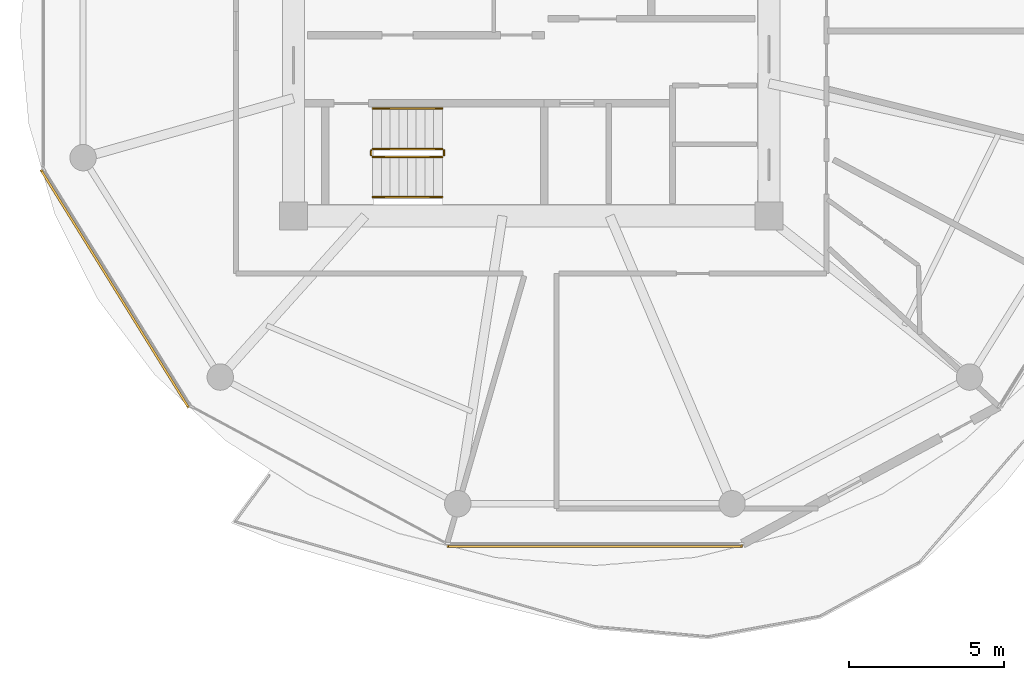
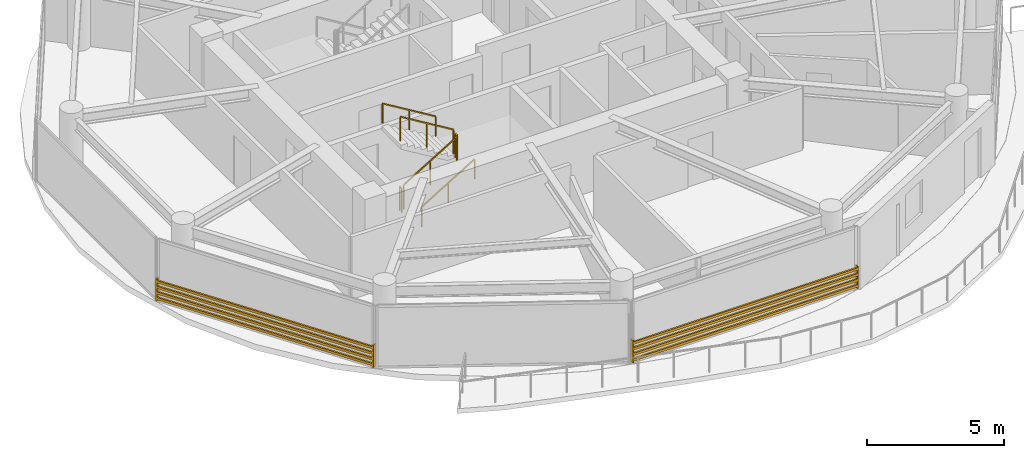
# One storey, part 19 of 24: 6 railings, 2 shading devices.
"""IFC4 building model written with IfcOpenShell, lengths in metres."""

from ifc_helpers import new_model, si_unit, direction, frame, origin, origin_2d, place, context, subcontext, project, spatial, rectangle, extrude, source, transform, mapped, material, type_object, type_shapes, element, save


model = new_model("IFC4")

# Units and contexts
model_context = context("Model", 3, precision=1e-05, world=origin(), true_north=direction((0.0, 1.0)))
body_context = subcontext(model_context, "Body", "Model", "MODEL_VIEW")
ifc_project = project(units=[si_unit("LENGTHUNIT", "METRE"), si_unit("AREAUNIT", "SQUARE_METRE"), si_unit("VOLUMEUNIT", "CUBIC_METRE"), si_unit("PLANEANGLEUNIT", "RADIAN"), si_unit("MASSUNIT", "GRAM", prefix="KILO")], contexts=[model_context])

# Site, building, storey
site_placement = place(None, origin())
site = spatial("IfcSite", under=ifc_project, at=site_placement, CompositionType="ELEMENT")
building_placement = place(site_placement, origin())
building = spatial("IfcBuilding", under=site, at=building_placement, Name="Norrkilde Senior Care Towers", CompositionType="ELEMENT")
storey_placement = place(building_placement, frame((0.0, 0.0, 111.5)))
storey = spatial("IfcBuildingStorey", under=building, at=storey_placement, Name="L34", CompositionType="ELEMENT", Elevation=111.5)

# Railings
ifc_material_1 = material(Name="Stainless Steel", Category="steel")
railing_type_1 = type_object("IfcRailingType", Name="Stair and Terrace Guardrail 1100", PredefinedType="GUARDRAIL", material=ifc_material_1)
railing_1_placement = place(storey_placement, frame((-33.10009765625, -4.050048828125, 0.16943359375)))
element("IfcRailing", 1, at=railing_1_placement, inside=storey, type_object=railing_type_1, Name="L34 ST-W2 stair guard 1", PredefinedType="GUARDRAIL", context=body_context, shape_type="SweptSolid", body=[
    extrude(rectangle(XDim=0.048095703125, YDim=0.048095703125, at=origin_2d()), frame((0.0, 0.0, 1.076171875), z_axis=(0.855553338991, 0.0, 0.51771467445), x_axis=(0.0, 1.0, 0.0)), (0.0, 0.0, 1.0), 2.6181640625),
    extrude(rectangle(XDim=0.0419921875, YDim=0.0419921875, at=origin_2d()), origin(), (0.0, 0.0, 1.0), 1.050048828125),
    extrude(rectangle(XDim=0.0419921875, YDim=0.0419921875, at=origin_2d()), frame((1.1201171875, 0.0, 0.677734375)), (0.0, 0.0, 1.0), 1.050048828125),
    extrude(rectangle(XDim=0.0419921875, YDim=0.0419921875, at=origin_2d()), frame((2.239990234375, 0.0, 1.35546875)), (0.0, 0.0, 1.0), 1.050048828125),
])
railing_2_placement = place(storey_placement, frame((-30.81005859375, -4.0, 1.52490234375)))
element("IfcRailing", 2, at=railing_2_placement, inside=storey, type_object=railing_type_1, Name="L34 ST-W2 stair guard 2", PredefinedType="GUARDRAIL", context=body_context, shape_type="SweptSolid", body=[
    extrude(rectangle(XDim=0.048095703125, YDim=0.048095703125, at=origin_2d()), frame((0.0, 0.0, 1.076171875), z_axis=(0.0, 1.0, 0.0), x_axis=(-1.0, 0.0, 0.0)), (0.0, 0.0, 1.0), 0.14990234375),
    extrude(rectangle(XDim=0.0419921875, YDim=0.0419921875, at=origin_2d()), origin(), (0.0, 0.0, 1.0), 1.050048828125),
    extrude(rectangle(XDim=0.0419921875, YDim=0.0419921875, at=origin_2d()), frame((0.0, 0.14990234375, 0.0)), (0.0, 0.0, 1.0), 1.050048828125),
])
railing_3_placement = place(storey_placement, frame((-30.860107421875, -3.800048828125, 1.6943359375)))
element("IfcRailing", 3, at=railing_3_placement, inside=storey, type_object=railing_type_1, Name="L34 ST-W2 stair guard 3", PredefinedType="GUARDRAIL", context=body_context, shape_type="SweptSolid", body=[
    extrude(rectangle(XDim=0.048095703125, YDim=0.048095703125, at=origin_2d()), frame((0.0, 0.0, 1.076171875), z_axis=(-0.855512035549, 0.0, 0.517782924622), x_axis=(0.0, -1.0, 0.0)), (0.0, 0.0, 1.0), 2.618408203125),
    extrude(rectangle(XDim=0.0419921875, YDim=0.0419921875, at=origin_2d()), origin(), (0.0, 0.0, 1.0), 1.050048828125),
    extrude(rectangle(XDim=0.0419921875, YDim=0.0419921875, at=origin_2d()), frame((-1.1201171875, 0.0, 0.677734375)), (0.0, 0.0, 1.0), 1.050048828125),
    extrude(rectangle(XDim=0.0419921875, YDim=0.0419921875, at=origin_2d()), frame((-2.239990234375, 0.0, 1.355712890625)), (0.0, 0.0, 1.0), 1.050048828125),
])
railing_4_placement = place(storey_placement, frame((-33.14990234375, -4.0, 0.0)))
element("IfcRailing", 4, at=railing_4_placement, inside=storey, type_object=railing_type_1, Name="L34 ST-W2 stair guard 4", PredefinedType="GUARDRAIL", context=body_context, shape_type="SweptSolid", body=[
    extrude(rectangle(XDim=0.048095703125, YDim=0.048095703125, at=origin_2d()), frame((0.0, 0.0, 1.076171875), z_axis=(0.0, 1.0, 0.0), x_axis=(-1.0, 0.0, 0.0)), (0.0, 0.0, 1.0), 0.14990234375),
    extrude(rectangle(XDim=0.0419921875, YDim=0.0419921875, at=origin_2d()), origin(), (0.0, 0.0, 1.0), 1.050048828125),
    extrude(rectangle(XDim=0.0419921875, YDim=0.0419921875, at=origin_2d()), frame((0.0, 0.14990234375, 0.0)), (0.0, 0.0, 1.0), 1.050048828125),
])
ifc_material_2 = material(Name="Nordic Ash Timber", Category="wood")
railing_type_2 = type_object("IfcRailingType", Name="Wall and Stair Handrail 900", PredefinedType="HANDRAIL", material=ifc_material_2)
railing_5_placement = place(storey_placement, frame((-33.10009765625, -5.35009765625, 0.16943359375)))
element("IfcRailing", 5, at=railing_5_placement, inside=storey, type_object=railing_type_2, Name="L34 ST-W2 stair handrail 1", PredefinedType="HANDRAIL", context=body_context, shape_type="SweptSolid", body=[
    extrude(rectangle(XDim=0.048095703125, YDim=0.048095703125, at=origin_2d()), frame((0.0, 0.0, 0.8759765625), z_axis=(0.855553338991, 0.0, 0.51771467445), x_axis=(0.0, 1.0, 0.0)), (0.0, 0.0, 1.0), 2.6181640625),
    extrude(rectangle(XDim=0.0419921875, YDim=0.0419921875, at=origin_2d()), origin(), (0.0, 0.0, 1.0), 0.849853515625),
    extrude(rectangle(XDim=0.0419921875, YDim=0.0419921875, at=origin_2d()), frame((1.1201171875, 0.0, 0.677734375)), (0.0, 0.0, 1.0), 0.849853515625),
    extrude(rectangle(XDim=0.0419921875, YDim=0.0419921875, at=origin_2d()), frame((2.239990234375, 0.0, 1.35546875)), (0.0, 0.0, 1.0), 0.849853515625),
])
railing_6_placement = place(storey_placement, frame((-30.860107421875, -2.5, 1.6943359375)))
element("IfcRailing", 6, at=railing_6_placement, inside=storey, type_object=railing_type_2, Name="L34 ST-W2 stair handrail 2", PredefinedType="HANDRAIL", context=body_context, shape_type="SweptSolid", body=[
    extrude(rectangle(XDim=0.048095703125, YDim=0.048095703125, at=origin_2d()), frame((0.0, 0.0, 0.8759765625), z_axis=(-0.855512035549, 0.0, 0.517782924622), x_axis=(0.0, -1.0, 0.0)), (0.0, 0.0, 1.0), 2.618408203125),
    extrude(rectangle(XDim=0.0419921875, YDim=0.0419921875, at=origin_2d()), origin(), (0.0, 0.0, 1.0), 0.849853515625),
    extrude(rectangle(XDim=0.0419921875, YDim=0.0419921875, at=origin_2d()), frame((-1.1201171875, 0.0, 0.677734375)), (0.0, 0.0, 1.0), 0.849853515625),
    extrude(rectangle(XDim=0.0419921875, YDim=0.0419921875, at=origin_2d()), frame((-2.239990234375, 0.0, 1.355712890625)), (0.0, 0.0, 1.0), 0.849853515625),
])

# Shading devices
ifc_material_3 = material(Name="Architectural Terracotta", Category="masonry")
shading_device_type = type_object("IfcShadingDeviceType", Name="Horizontal Terracotta Baguette Rack", PredefinedType="USERDEFINED", material=ifc_material_3)
shared_shape_1 = source(origin(), body_context, "Body", "SweptSolid", [
    extrude(rectangle(XDim=0.070068359375, YDim=0.110107421875, at=origin_2d()), frame((0.0, 0.090087890625, 0.125), z_axis=(1.0, 0.0, 0.0), x_axis=(0.0, 1.0, 0.0)), (0.0, 0.0, 1.0), 9.01416015625),
    extrude(rectangle(XDim=0.070068359375, YDim=0.110107421875, at=origin_2d()), frame((0.0, 0.090087890625, 0.375), z_axis=(1.0, 0.0, 0.0), x_axis=(0.0, 1.0, 0.0)), (0.0, 0.0, 1.0), 9.01416015625),
    extrude(rectangle(XDim=0.070068359375, YDim=0.110107421875, at=origin_2d()), frame((0.0, 0.090087890625, 0.625), z_axis=(1.0, 0.0, 0.0), x_axis=(0.0, 1.0, 0.0)), (0.0, 0.0, 1.0), 9.01416015625),
    extrude(rectangle(XDim=0.070068359375, YDim=0.110107421875, at=origin_2d()), frame((0.0, 0.090087890625, 0.875), z_axis=(1.0, 0.0, 0.0), x_axis=(0.0, 1.0, 0.0)), (0.0, 0.0, 1.0), 9.01416015625),
    extrude(rectangle(XDim=0.050048828125, YDim=0.1552734375, at=origin_2d()), frame((0.02490234375, 0.047607421875, 0.0)), (0.0, 0.0, 1.0), 1.0),
    extrude(rectangle(XDim=0.050048828125, YDim=0.1552734375, at=origin_2d()), frame((8.9892578125, 0.047607421875, 0.0)), (0.0, 0.0, 1.0), 1.0),
])
shading_device_1_placement = place(storey_placement, frame((-38.946533203125, -12.077392578125, 0.080078125), z_axis=(0.0, 0.0, 1.0), x_axis=(-0.527734142246, 0.849412274525, 0.0)))
element("IfcShadingDevice", 7, at=shading_device_1_placement, inside=storey, type_object=shading_device_type, Name="L34 Drum W Terracotta Baguette Screen 06", ObjectType="BAGUETTE", PredefinedType="USERDEFINED", context=body_context, shape_type="MappedRepresentation", body=[
    mapped(shared_shape_1, transform((0.0, 0.0, 0.0), x_axis=(1.0, 0.0, 0.0), y_axis=(0.0, 1.0, 0.0), z_axis=(0.0, 0.0, 1.0), scale=1.0)),
])
shared_shape_2 = source(origin(), body_context, "Body", "SweptSolid", [
    extrude(rectangle(XDim=0.070068359375, YDim=0.110107421875, at=origin_2d()), frame((0.0, 0.090087890625, 0.125), z_axis=(1.0, 0.0, 0.0), x_axis=(0.0, 1.0, 0.0)), (0.0, 0.0, 1.0), 9.51416015625),
    extrude(rectangle(XDim=0.070068359375, YDim=0.110107421875, at=origin_2d()), frame((0.0, 0.090087890625, 0.375), z_axis=(1.0, 0.0, 0.0), x_axis=(0.0, 1.0, 0.0)), (0.0, 0.0, 1.0), 9.51416015625),
    extrude(rectangle(XDim=0.070068359375, YDim=0.110107421875, at=origin_2d()), frame((0.0, 0.090087890625, 0.625), z_axis=(1.0, 0.0, 0.0), x_axis=(0.0, 1.0, 0.0)), (0.0, 0.0, 1.0), 9.51416015625),
    extrude(rectangle(XDim=0.070068359375, YDim=0.110107421875, at=origin_2d()), frame((0.0, 0.090087890625, 0.875), z_axis=(1.0, 0.0, 0.0), x_axis=(0.0, 1.0, 0.0)), (0.0, 0.0, 1.0), 9.51416015625),
    extrude(rectangle(XDim=0.050048828125, YDim=0.1552734375, at=origin_2d()), frame((0.02490234375, 0.047607421875, 0.0)), (0.0, 0.0, 1.0), 1.0),
    extrude(rectangle(XDim=0.050048828125, YDim=0.1552734375, at=origin_2d()), frame((9.4892578125, 0.047607421875, 0.0)), (0.0, 0.0, 1.0), 1.0),
])
type_shapes(shading_device_type, [shared_shape_1, shared_shape_2])
shading_device_2_placement = place(storey_placement, frame((-21.19287109375, -16.498046875, 0.080078125), z_axis=(0.0, 0.0, 1.0), x_axis=(-1.0, 0.0, 0.0)))
element("IfcShadingDevice", 8, at=shading_device_2_placement, inside=storey, type_object=shading_device_type, Name="L34 Drum W Terracotta Baguette Screen 08", ObjectType="BAGUETTE", PredefinedType="USERDEFINED", context=body_context, shape_type="MappedRepresentation", body=[
    mapped(shared_shape_2, transform((0.0, 0.0, 0.0), x_axis=(1.0, 0.0, 0.0), y_axis=(0.0, 1.0, 0.0), z_axis=(0.0, 0.0, 1.0), scale=1.0)),
])

save(model, "model.ifc")
